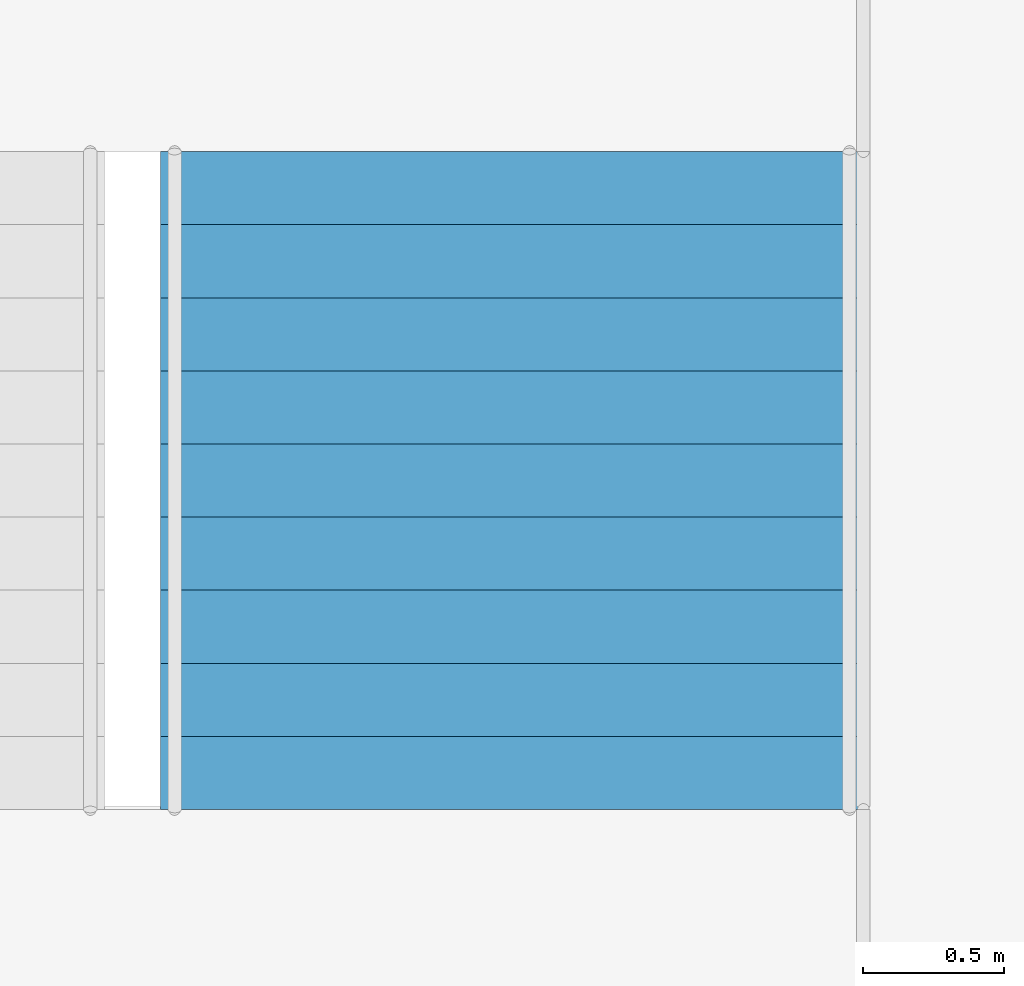
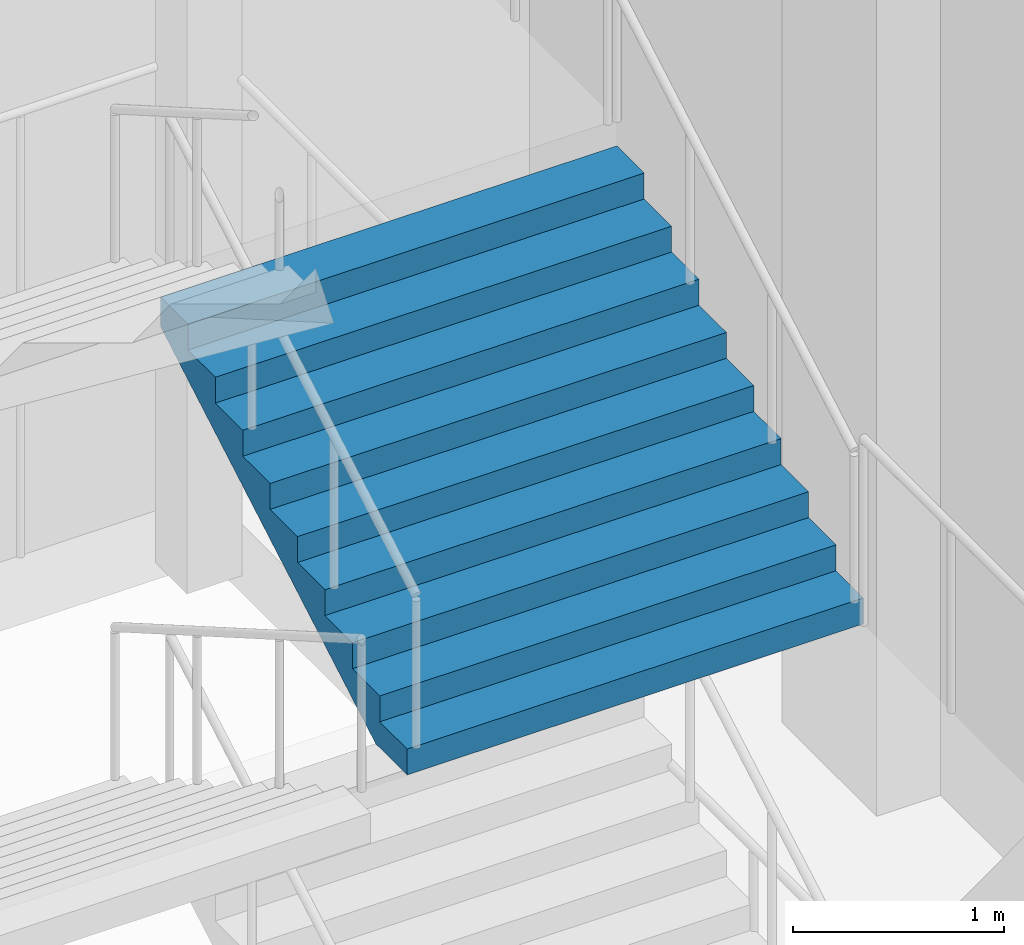
# One storey, part 45 of 100: 1 stair flight, 1 element without a shape of its own.
"""IFC4 building model written with IfcOpenShell, lengths in metres."""

from ifc_helpers import new_model, si_unit, direction, frame, origin, place, context, subcontext, project, spatial, triangles, material, type_object, element, aggregate, save


model = new_model("IFC4")

# Units and contexts
model_context = context("Model", 3, precision=1e-05, world=origin(), true_north=direction((0.0, 1.0)))
body_context = subcontext(model_context, "Body", "Model", "MODEL_VIEW")
ifc_project = project(units=[si_unit("LENGTHUNIT", "METRE"), si_unit("AREAUNIT", "SQUARE_METRE"), si_unit("VOLUMEUNIT", "CUBIC_METRE"), si_unit("PLANEANGLEUNIT", "RADIAN"), si_unit("MASSUNIT", "GRAM", prefix="KILO")], contexts=[model_context])

# Site, building, storey
site_placement = place(None, origin())
site = spatial("IfcSite", under=ifc_project, at=site_placement, CompositionType="ELEMENT")
building_placement = place(site_placement, origin())
building = spatial("IfcBuilding", under=site, at=building_placement, Name="Hakoniwa Tower and Hamabe Station Hall", CompositionType="ELEMENT")
storey_placement = place(building_placement, frame((0.0, 0.0, 9.0)))
storey = spatial("IfcBuildingStorey", under=building, at=storey_placement, Name="L02", CompositionType="ELEMENT", Elevation=9.0)

# Stair, stair flight
ifc_material_1 = material(Name="Concrete C40", Category="concrete")
stair_type = type_object("IfcStairType", Name="STAIR 2500 10X150", PredefinedType="HALF_TURN_STAIR", material=ifc_material_1)
stair_placement = place(storey_placement, origin())
stair = element("IfcStair", 1, at=stair_placement, inside=storey, type_object=stair_type, Name="Escape stair PS4", PredefinedType="HALF_TURN_STAIR")
ifc_material_2 = material(Name="Concrete C40", Category="concrete")
stair_flight_type = type_object("IfcStairFlightType", Name="STAIR FLIGHT 2500", PredefinedType="STRAIGHT", material=ifc_material_2)
stair_flight_placement = place(storey_placement, frame((-45.10009765625, -22.35009765625, 3.0), z_axis=(0.0, 0.0, 1.0), x_axis=(0.0, 1.0, 0.0)))
stair_flight = element("IfcStairFlight", 2, at=stair_flight_placement, type_object=stair_flight_type, Name="PS4 flight 3", NumberOfRisers=10, NumberOfTreads=9, PredefinedType="STRAIGHT", RiserHeight=0.15, TreadLength=0.26, context=body_context, shape_type="Tessellation", body=[
    triangles([(0.0, 1.25, 0.0), (0.260009765625, 1.25, 0.0), (0.300048828125, 1.25, 0.0), (0.52001953125, 1.25, 0.126953125), (0.780029296875, 1.25, 0.27685546875), (1.0400390625, 1.25, 0.427001953125), (1.300048828125, 1.25, 0.576904296875), (1.56005859375, 1.25, 0.72705078125), (1.820068359375, 1.25, 0.876953125), (2.080078125, 1.25, 1.02685546875), (2.340087890625, 1.25, 1.177001953125), (2.340087890625, 1.25, 1.35009765625), (2.080078125, 1.25, 1.35009765625), (2.080078125, 1.25, 1.199951171875), (1.820068359375, 1.25, 1.199951171875), (1.820068359375, 1.25, 1.050048828125), (1.56005859375, 1.25, 1.050048828125), (1.56005859375, 1.25, 0.89990234375), (1.300048828125, 1.25, 0.89990234375), (1.300048828125, 1.25, 0.75), (1.0400390625, 1.25, 0.75), (1.0400390625, 1.25, 0.60009765625), (0.780029296875, 1.25, 0.60009765625), (0.780029296875, 1.25, 0.449951171875), (0.52001953125, 1.25, 0.449951171875), (0.52001953125, 1.25, 0.300048828125), (0.300048828125, 1.25, 0.300048828125), (0.260009765625, 1.25, 0.300048828125), (0.260009765625, 1.25, 0.14990234375), (0.0, 1.25, 0.14990234375), (0.0, 0.06005859375, 0.0), (0.260009765625, 0.06005859375, 0.0), (0.300048828125, 0.06005859375, 0.0), (0.52001953125, 0.06005859375, 0.126953125), (0.780029296875, 0.06005859375, 0.27685546875), (1.0400390625, 0.06005859375, 0.427001953125), (1.300048828125, 0.06005859375, 0.576904296875), (1.56005859375, 0.06005859375, 0.72705078125), (1.820068359375, 0.06005859375, 0.876953125), (2.080078125, 0.06005859375, 1.02685546875), (2.340087890625, 0.06005859375, 1.177001953125), (2.340087890625, 0.06005859375, 1.35009765625), (2.080078125, 0.06005859375, 1.35009765625), (2.080078125, 0.06005859375, 1.199951171875), (1.820068359375, 0.06005859375, 1.199951171875), (1.820068359375, 0.06005859375, 1.050048828125), (1.56005859375, 0.06005859375, 1.050048828125), (1.56005859375, 0.06005859375, 0.89990234375), (1.300048828125, 0.06005859375, 0.89990234375), (1.300048828125, 0.06005859375, 0.75), (1.0400390625, 0.06005859375, 0.75), (1.0400390625, 0.06005859375, 0.60009765625), (0.780029296875, 0.06005859375, 0.60009765625), (0.780029296875, 0.06005859375, 0.449951171875), (0.52001953125, 0.06005859375, 0.449951171875), (0.52001953125, 0.06005859375, 0.300048828125), (0.300048828125, 0.06005859375, 0.300048828125), (0.260009765625, 0.06005859375, 0.300048828125), (0.260009765625, 0.06005859375, 0.14990234375), (0.0, 0.06005859375, 0.14990234375), (0.0, 0.049072265625, 0.0), (0.260009765625, 0.049072265625, 0.0), (0.300048828125, 0.049072265625, 0.0), (0.52001953125, 0.049072265625, 0.126953125), (0.780029296875, 0.049072265625, 0.27685546875), (1.0400390625, 0.049072265625, 0.427001953125), (1.300048828125, 0.049072265625, 0.576904296875), (1.56005859375, 0.049072265625, 0.72705078125), (1.820068359375, 0.049072265625, 0.876953125), (2.080078125, 0.049072265625, 1.02685546875), (2.340087890625, 0.049072265625, 1.177001953125), (2.340087890625, 0.049072265625, 1.35009765625), (2.080078125, 0.049072265625, 1.35009765625), (2.080078125, 0.049072265625, 1.199951171875), (1.820068359375, 0.049072265625, 1.199951171875), (1.820068359375, 0.049072265625, 1.050048828125), (1.56005859375, 0.049072265625, 1.050048828125), (1.56005859375, 0.049072265625, 0.89990234375), (1.300048828125, 0.049072265625, 0.89990234375), (1.300048828125, 0.049072265625, 0.75), (1.0400390625, 0.049072265625, 0.75), (1.0400390625, 0.049072265625, 0.60009765625), (0.780029296875, 0.049072265625, 0.60009765625), (0.780029296875, 0.049072265625, 0.449951171875), (0.52001953125, 0.049072265625, 0.449951171875), (0.52001953125, 0.049072265625, 0.300048828125), (0.300048828125, 0.049072265625, 0.300048828125), (0.260009765625, 0.049072265625, 0.300048828125), (0.260009765625, 0.049072265625, 0.14990234375), (0.0, 0.049072265625, 0.14990234375), (0.0, 0.0380859375, 0.0), (0.260009765625, 0.0380859375, 0.0), (0.300048828125, 0.0380859375, 0.0), (0.52001953125, 0.0380859375, 0.126953125), (0.780029296875, 0.0380859375, 0.27685546875), (1.0400390625, 0.0380859375, 0.427001953125), (1.300048828125, 0.0380859375, 0.576904296875), (1.56005859375, 0.0380859375, 0.72705078125), (1.820068359375, 0.0380859375, 0.876953125), (2.080078125, 0.0380859375, 1.02685546875), (2.340087890625, 0.0380859375, 1.177001953125), (2.340087890625, 0.0380859375, 1.35009765625), (2.080078125, 0.0380859375, 1.35009765625), (2.080078125, 0.0380859375, 1.199951171875), (1.820068359375, 0.0380859375, 1.199951171875), (1.820068359375, 0.0380859375, 1.050048828125), (1.56005859375, 0.0380859375, 1.050048828125), (1.56005859375, 0.0380859375, 0.89990234375), (1.300048828125, 0.0380859375, 0.89990234375), (1.300048828125, 0.0380859375, 0.75), (1.0400390625, 0.0380859375, 0.75), (1.0400390625, 0.0380859375, 0.60009765625), (0.780029296875, 0.0380859375, 0.60009765625), (0.780029296875, 0.0380859375, 0.449951171875), (0.52001953125, 0.0380859375, 0.449951171875), (0.52001953125, 0.0380859375, 0.300048828125), (0.300048828125, 0.0380859375, 0.300048828125), (0.260009765625, 0.0380859375, 0.300048828125), (0.260009765625, 0.0380859375, 0.14990234375), (0.0, 0.0380859375, 0.14990234375), (0.0, 0.02734375, 0.0), (0.260009765625, 0.02734375, 0.0), (0.300048828125, 0.02734375, 0.0), (0.52001953125, 0.02734375, 0.126953125), (0.780029296875, 0.02734375, 0.27685546875), (1.0400390625, 0.02734375, 0.427001953125), (1.300048828125, 0.02734375, 0.576904296875), (1.56005859375, 0.02734375, 0.72705078125), (1.820068359375, 0.02734375, 0.876953125), (2.080078125, 0.02734375, 1.02685546875), (2.340087890625, 0.02734375, 1.177001953125), (2.340087890625, 0.02734375, 1.35009765625), (2.080078125, 0.02734375, 1.35009765625), (2.080078125, 0.02734375, 1.199951171875), (1.820068359375, 0.02734375, 1.199951171875), (1.820068359375, 0.02734375, 1.050048828125), (1.56005859375, 0.02734375, 1.050048828125), (1.56005859375, 0.02734375, 0.89990234375), (1.300048828125, 0.02734375, 0.89990234375), (1.300048828125, 0.02734375, 0.75), (1.0400390625, 0.02734375, 0.75), (1.0400390625, 0.02734375, 0.60009765625), (0.780029296875, 0.02734375, 0.60009765625), (0.780029296875, 0.02734375, 0.449951171875), (0.52001953125, 0.02734375, 0.449951171875), (0.52001953125, 0.02734375, 0.300048828125), (0.300048828125, 0.02734375, 0.300048828125), (0.260009765625, 0.02734375, 0.300048828125), (0.260009765625, 0.02734375, 0.14990234375), (0.0, 0.02734375, 0.14990234375), (0.0, 0.016357421875, 0.0), (0.260009765625, 0.016357421875, 0.0), (0.300048828125, 0.016357421875, 0.0), (0.52001953125, 0.016357421875, 0.126953125), (0.780029296875, 0.016357421875, 0.27685546875), (1.0400390625, 0.016357421875, 0.427001953125), (1.300048828125, 0.016357421875, 0.576904296875), (1.56005859375, 0.016357421875, 0.72705078125), (1.820068359375, 0.016357421875, 0.876953125), (2.080078125, 0.016357421875, 1.02685546875), (2.340087890625, 0.016357421875, 1.177001953125), (2.340087890625, 0.016357421875, 1.35009765625), (2.080078125, 0.016357421875, 1.35009765625), (2.080078125, 0.016357421875, 1.199951171875), (1.820068359375, 0.016357421875, 1.199951171875), (1.820068359375, 0.016357421875, 1.050048828125), (1.56005859375, 0.016357421875, 1.050048828125), (1.56005859375, 0.016357421875, 0.89990234375), (1.300048828125, 0.016357421875, 0.89990234375), (1.300048828125, 0.016357421875, 0.75), (1.0400390625, 0.016357421875, 0.75), (1.0400390625, 0.016357421875, 0.60009765625), (0.780029296875, 0.016357421875, 0.60009765625), (0.780029296875, 0.016357421875, 0.449951171875), (0.52001953125, 0.016357421875, 0.449951171875), (0.52001953125, 0.016357421875, 0.300048828125), (0.300048828125, 0.016357421875, 0.300048828125), (0.260009765625, 0.016357421875, 0.300048828125), (0.260009765625, 0.016357421875, 0.14990234375), (0.0, 0.016357421875, 0.14990234375), (0.0, 0.00537109375, 0.0), (0.260009765625, 0.00537109375, 0.0), (0.300048828125, 0.00537109375, 0.0), (0.52001953125, 0.00537109375, 0.126953125), (0.780029296875, 0.00537109375, 0.27685546875), (1.0400390625, 0.00537109375, 0.427001953125), (1.300048828125, 0.00537109375, 0.576904296875), (1.56005859375, 0.00537109375, 0.72705078125), (1.820068359375, 0.00537109375, 0.876953125), (2.080078125, 0.00537109375, 1.02685546875), (2.340087890625, 0.00537109375, 1.177001953125), (2.340087890625, 0.00537109375, 1.35009765625), (2.080078125, 0.00537109375, 1.35009765625), (2.080078125, 0.00537109375, 1.199951171875), (1.820068359375, 0.00537109375, 1.199951171875), (1.820068359375, 0.00537109375, 1.050048828125), (1.56005859375, 0.00537109375, 1.050048828125), (1.56005859375, 0.00537109375, 0.89990234375), (1.300048828125, 0.00537109375, 0.89990234375), (1.300048828125, 0.00537109375, 0.75), (1.0400390625, 0.00537109375, 0.75), (1.0400390625, 0.00537109375, 0.60009765625), (0.780029296875, 0.00537109375, 0.60009765625), (0.780029296875, 0.00537109375, 0.449951171875), (0.52001953125, 0.00537109375, 0.449951171875), (0.52001953125, 0.00537109375, 0.300048828125), (0.300048828125, 0.00537109375, 0.300048828125), (0.260009765625, 0.00537109375, 0.300048828125), (0.260009765625, 0.00537109375, 0.14990234375), (0.0, 0.00537109375, 0.14990234375), (0.0, -0.00537109375, 0.0), (0.260009765625, -0.00537109375, 0.0), (0.300048828125, -0.00537109375, 0.0), (0.52001953125, -0.00537109375, 0.126953125), (0.780029296875, -0.00537109375, 0.27685546875), (1.0400390625, -0.00537109375, 0.427001953125), (1.300048828125, -0.00537109375, 0.576904296875), (1.56005859375, -0.00537109375, 0.72705078125), (1.820068359375, -0.00537109375, 0.876953125), (2.080078125, -0.00537109375, 1.02685546875), (2.340087890625, -0.00537109375, 1.177001953125), (2.340087890625, -0.00537109375, 1.35009765625), (2.080078125, -0.00537109375, 1.35009765625), (2.080078125, -0.00537109375, 1.199951171875), (1.820068359375, -0.00537109375, 1.199951171875), (1.820068359375, -0.00537109375, 1.050048828125), (1.56005859375, -0.00537109375, 1.050048828125), (1.56005859375, -0.00537109375, 0.89990234375), (1.300048828125, -0.00537109375, 0.89990234375), (1.300048828125, -0.00537109375, 0.75), (1.0400390625, -0.00537109375, 0.75), (1.0400390625, -0.00537109375, 0.60009765625), (0.780029296875, -0.00537109375, 0.60009765625), (0.780029296875, -0.00537109375, 0.449951171875), (0.52001953125, -0.00537109375, 0.449951171875), (0.52001953125, -0.00537109375, 0.300048828125), (0.300048828125, -0.00537109375, 0.300048828125), (0.260009765625, -0.00537109375, 0.300048828125), (0.260009765625, -0.00537109375, 0.14990234375), (0.0, -0.00537109375, 0.14990234375), (0.0, -0.016357421875, 0.0), (0.260009765625, -0.016357421875, 0.0), (0.300048828125, -0.016357421875, 0.0), (0.52001953125, -0.016357421875, 0.126953125), (0.780029296875, -0.016357421875, 0.27685546875), (1.0400390625, -0.016357421875, 0.427001953125), (1.300048828125, -0.016357421875, 0.576904296875), (1.56005859375, -0.016357421875, 0.72705078125), (1.820068359375, -0.016357421875, 0.876953125), (2.080078125, -0.016357421875, 1.02685546875), (2.340087890625, -0.016357421875, 1.177001953125), (2.340087890625, -0.016357421875, 1.35009765625), (2.080078125, -0.016357421875, 1.35009765625), (2.080078125, -0.016357421875, 1.199951171875), (1.820068359375, -0.016357421875, 1.199951171875), (1.820068359375, -0.016357421875, 1.050048828125), (1.56005859375, -0.016357421875, 1.050048828125), (1.56005859375, -0.016357421875, 0.89990234375), (1.300048828125, -0.016357421875, 0.89990234375), (1.300048828125, -0.016357421875, 0.75), (1.0400390625, -0.016357421875, 0.75), (1.0400390625, -0.016357421875, 0.60009765625), (0.780029296875, -0.016357421875, 0.60009765625), (0.780029296875, -0.016357421875, 0.449951171875), (0.52001953125, -0.016357421875, 0.449951171875), (0.52001953125, -0.016357421875, 0.300048828125), (0.300048828125, -0.016357421875, 0.300048828125), (0.260009765625, -0.016357421875, 0.300048828125), (0.260009765625, -0.016357421875, 0.14990234375), (0.0, -0.016357421875, 0.14990234375), (0.0, -0.02734375, 0.0), (0.260009765625, -0.02734375, 0.0), (0.300048828125, -0.02734375, 0.0), (0.52001953125, -0.02734375, 0.126953125), (0.780029296875, -0.02734375, 0.27685546875), (1.0400390625, -0.02734375, 0.427001953125), (1.300048828125, -0.02734375, 0.576904296875), (1.56005859375, -0.02734375, 0.72705078125), (1.820068359375, -0.02734375, 0.876953125), (2.080078125, -0.02734375, 1.02685546875), (2.340087890625, -0.02734375, 1.177001953125), (2.340087890625, -0.02734375, 1.35009765625), (2.080078125, -0.02734375, 1.35009765625), (2.080078125, -0.02734375, 1.199951171875), (1.820068359375, -0.02734375, 1.199951171875), (1.820068359375, -0.02734375, 1.050048828125), (1.56005859375, -0.02734375, 1.050048828125), (1.56005859375, -0.02734375, 0.89990234375), (1.300048828125, -0.02734375, 0.89990234375), (1.300048828125, -0.02734375, 0.75), (1.0400390625, -0.02734375, 0.75), (1.0400390625, -0.02734375, 0.60009765625), (0.780029296875, -0.02734375, 0.60009765625), (0.780029296875, -0.02734375, 0.449951171875), (0.52001953125, -0.02734375, 0.449951171875), (0.52001953125, -0.02734375, 0.300048828125), (0.300048828125, -0.02734375, 0.300048828125), (0.260009765625, -0.02734375, 0.300048828125), (0.260009765625, -0.02734375, 0.14990234375), (0.0, -0.02734375, 0.14990234375), (0.0, -0.0380859375, 0.0), (0.260009765625, -0.0380859375, 0.0), (0.300048828125, -0.0380859375, 0.0), (0.52001953125, -0.0380859375, 0.126953125), (0.780029296875, -0.0380859375, 0.27685546875), (1.0400390625, -0.0380859375, 0.427001953125), (1.300048828125, -0.0380859375, 0.576904296875), (1.56005859375, -0.0380859375, 0.72705078125), (1.820068359375, -0.0380859375, 0.876953125), (2.080078125, -0.0380859375, 1.02685546875), (2.340087890625, -0.0380859375, 1.177001953125), (2.340087890625, -0.0380859375, 1.35009765625), (2.080078125, -0.0380859375, 1.35009765625), (2.080078125, -0.0380859375, 1.199951171875), (1.820068359375, -0.0380859375, 1.199951171875), (1.820068359375, -0.0380859375, 1.050048828125), (1.56005859375, -0.0380859375, 1.050048828125), (1.56005859375, -0.0380859375, 0.89990234375), (1.300048828125, -0.0380859375, 0.89990234375), (1.300048828125, -0.0380859375, 0.75), (1.0400390625, -0.0380859375, 0.75), (1.0400390625, -0.0380859375, 0.60009765625), (0.780029296875, -0.0380859375, 0.60009765625), (0.780029296875, -0.0380859375, 0.449951171875), (0.52001953125, -0.0380859375, 0.449951171875), (0.52001953125, -0.0380859375, 0.300048828125), (0.300048828125, -0.0380859375, 0.300048828125), (0.260009765625, -0.0380859375, 0.300048828125), (0.260009765625, -0.0380859375, 0.14990234375), (0.0, -0.0380859375, 0.14990234375), (0.0, -0.049072265625, 0.0), (0.260009765625, -0.049072265625, 0.0), (0.300048828125, -0.049072265625, 0.0), (0.52001953125, -0.049072265625, 0.126953125), (0.780029296875, -0.049072265625, 0.27685546875), (1.0400390625, -0.049072265625, 0.427001953125), (1.300048828125, -0.049072265625, 0.576904296875), (1.56005859375, -0.049072265625, 0.72705078125), (1.820068359375, -0.049072265625, 0.876953125), (2.080078125, -0.049072265625, 1.02685546875), (2.340087890625, -0.049072265625, 1.177001953125), (2.340087890625, -0.049072265625, 1.35009765625), (2.080078125, -0.049072265625, 1.35009765625), (2.080078125, -0.049072265625, 1.199951171875), (1.820068359375, -0.049072265625, 1.199951171875), (1.820068359375, -0.049072265625, 1.050048828125), (1.56005859375, -0.049072265625, 1.050048828125), (1.56005859375, -0.049072265625, 0.89990234375), (1.300048828125, -0.049072265625, 0.89990234375), (1.300048828125, -0.049072265625, 0.75), (1.0400390625, -0.049072265625, 0.75), (1.0400390625, -0.049072265625, 0.60009765625), (0.780029296875, -0.049072265625, 0.60009765625), (0.780029296875, -0.049072265625, 0.449951171875), (0.52001953125, -0.049072265625, 0.449951171875), (0.52001953125, -0.049072265625, 0.300048828125), (0.300048828125, -0.049072265625, 0.300048828125), (0.260009765625, -0.049072265625, 0.300048828125), (0.260009765625, -0.049072265625, 0.14990234375), (0.0, -0.049072265625, 0.14990234375), (0.0, -0.06005859375, 0.0), (0.260009765625, -0.06005859375, 0.0), (0.300048828125, -0.06005859375, 0.0), (0.52001953125, -0.06005859375, 0.126953125), (0.780029296875, -0.06005859375, 0.27685546875), (1.0400390625, -0.06005859375, 0.427001953125), (1.300048828125, -0.06005859375, 0.576904296875), (1.56005859375, -0.06005859375, 0.72705078125), (1.820068359375, -0.06005859375, 0.876953125), (2.080078125, -0.06005859375, 1.02685546875), (2.340087890625, -0.06005859375, 1.177001953125), (2.340087890625, -0.06005859375, 1.35009765625), (2.080078125, -0.06005859375, 1.35009765625), (2.080078125, -0.06005859375, 1.199951171875), (1.820068359375, -0.06005859375, 1.199951171875), (1.820068359375, -0.06005859375, 1.050048828125), (1.56005859375, -0.06005859375, 1.050048828125), (1.56005859375, -0.06005859375, 0.89990234375), (1.300048828125, -0.06005859375, 0.89990234375), (1.300048828125, -0.06005859375, 0.75), (1.0400390625, -0.06005859375, 0.75), (1.0400390625, -0.06005859375, 0.60009765625), (0.780029296875, -0.06005859375, 0.60009765625), (0.780029296875, -0.06005859375, 0.449951171875), (0.52001953125, -0.06005859375, 0.449951171875), (0.52001953125, -0.06005859375, 0.300048828125), (0.300048828125, -0.06005859375, 0.300048828125), (0.260009765625, -0.06005859375, 0.300048828125), (0.260009765625, -0.06005859375, 0.14990234375), (0.0, -0.06005859375, 0.14990234375), (0.0, -1.25, 0.0), (0.260009765625, -1.25, 0.0), (0.300048828125, -1.25, 0.0), (0.52001953125, -1.25, 0.126953125), (0.780029296875, -1.25, 0.27685546875), (1.0400390625, -1.25, 0.427001953125), (1.300048828125, -1.25, 0.576904296875), (1.56005859375, -1.25, 0.72705078125), (1.820068359375, -1.25, 0.876953125), (2.080078125, -1.25, 1.02685546875), (2.340087890625, -1.25, 1.177001953125), (2.340087890625, -1.25, 1.35009765625), (2.080078125, -1.25, 1.35009765625), (2.080078125, -1.25, 1.199951171875), (1.820068359375, -1.25, 1.199951171875), (1.820068359375, -1.25, 1.050048828125), (1.56005859375, -1.25, 1.050048828125), (1.56005859375, -1.25, 0.89990234375), (1.300048828125, -1.25, 0.89990234375), (1.300048828125, -1.25, 0.75), (1.0400390625, -1.25, 0.75), (1.0400390625, -1.25, 0.60009765625), (0.780029296875, -1.25, 0.60009765625), (0.780029296875, -1.25, 0.449951171875), (0.52001953125, -1.25, 0.449951171875), (0.52001953125, -1.25, 0.300048828125), (0.300048828125, -1.25, 0.300048828125), (0.260009765625, -1.25, 0.300048828125), (0.260009765625, -1.25, 0.14990234375), (0.0, -1.25, 0.14990234375)], [[2, 30, 29], [392, 419, 420], [2, 1, 30], [392, 420, 391], [3, 28, 27], [393, 417, 418], [3, 29, 28], [393, 418, 419], [3, 2, 29], [393, 419, 392], [4, 27, 26], [394, 416, 417], [4, 3, 27], [394, 417, 393], [5, 25, 24], [395, 414, 415], [5, 26, 25], [395, 415, 416], [5, 4, 26], [395, 416, 394], [6, 23, 22], [396, 412, 413], [6, 24, 23], [396, 413, 414], [6, 5, 24], [396, 414, 395], [7, 21, 20], [397, 410, 411], [7, 22, 21], [397, 411, 412], [7, 6, 22], [397, 412, 396], [8, 19, 18], [398, 408, 409], [8, 20, 19], [398, 409, 410], [8, 7, 20], [398, 410, 397], [9, 17, 16], [399, 406, 407], [9, 18, 17], [399, 407, 408], [9, 8, 18], [399, 408, 398], [10, 15, 14], [400, 404, 405], [10, 16, 15], [400, 405, 406], [10, 9, 16], [400, 406, 399], [11, 13, 12], [401, 402, 403], [11, 14, 13], [401, 403, 404], [11, 10, 14], [401, 404, 400], [1, 2, 32], [1, 32, 31], [31, 32, 62], [31, 62, 61], [61, 62, 92], [61, 92, 91], [91, 92, 122], [91, 122, 121], [121, 122, 152], [121, 152, 151], [151, 152, 182], [151, 182, 181], [181, 182, 212], [181, 212, 211], [211, 212, 242], [211, 242, 241], [241, 242, 272], [241, 272, 271], [271, 272, 302], [271, 302, 301], [301, 302, 332], [301, 332, 331], [331, 332, 362], [331, 362, 361], [361, 362, 392], [361, 392, 391], [2, 3, 33], [2, 33, 32], [32, 33, 63], [32, 63, 62], [62, 63, 93], [62, 93, 92], [92, 93, 123], [92, 123, 122], [122, 123, 153], [122, 153, 152], [152, 153, 183], [152, 183, 182], [182, 183, 213], [182, 213, 212], [212, 213, 243], [212, 243, 242], [242, 243, 273], [242, 273, 272], [272, 273, 303], [272, 303, 302], [302, 303, 333], [302, 333, 332], [332, 333, 363], [332, 363, 362], [362, 363, 393], [362, 393, 392], [3, 4, 34], [3, 34, 33], [33, 34, 64], [33, 64, 63], [63, 64, 94], [63, 94, 93], [93, 94, 124], [93, 124, 123], [123, 124, 154], [123, 154, 153], [153, 154, 184], [153, 184, 183], [183, 184, 214], [183, 214, 213], [213, 214, 244], [213, 244, 243], [243, 244, 274], [243, 274, 273], [273, 274, 304], [273, 304, 303], [303, 304, 334], [303, 334, 333], [333, 334, 364], [333, 364, 363], [363, 364, 394], [363, 394, 393], [4, 5, 35], [4, 35, 34], [34, 35, 65], [34, 65, 64], [64, 65, 95], [64, 95, 94], [94, 95, 125], [94, 125, 124], [124, 125, 155], [124, 155, 154], [154, 155, 185], [154, 185, 184], [184, 185, 215], [184, 215, 214], [214, 215, 245], [214, 245, 244], [244, 245, 275], [244, 275, 274], [274, 275, 305], [274, 305, 304], [304, 305, 335], [304, 335, 334], [334, 335, 365], [334, 365, 364], [364, 365, 395], [364, 395, 394], [5, 6, 36], [5, 36, 35], [35, 36, 66], [35, 66, 65], [65, 66, 96], [65, 96, 95], [95, 96, 126], [95, 126, 125], [125, 126, 156], [125, 156, 155], [155, 156, 186], [155, 186, 185], [185, 186, 216], [185, 216, 215], [215, 216, 246], [215, 246, 245], [245, 246, 276], [245, 276, 275], [275, 276, 306], [275, 306, 305], [305, 306, 336], [305, 336, 335], [335, 336, 366], [335, 366, 365], [365, 366, 396], [365, 396, 395], [6, 7, 37], [6, 37, 36], [36, 37, 67], [36, 67, 66], [66, 67, 97], [66, 97, 96], [96, 97, 127], [96, 127, 126], [126, 127, 157], [126, 157, 156], [156, 157, 187], [156, 187, 186], [186, 187, 217], [186, 217, 216], [216, 217, 247], [216, 247, 246], [246, 247, 277], [246, 277, 276], [276, 277, 307], [276, 307, 306], [306, 307, 337], [306, 337, 336], [336, 337, 367], [336, 367, 366], [366, 367, 397], [366, 397, 396], [7, 8, 38], [7, 38, 37], [37, 38, 68], [37, 68, 67], [67, 68, 98], [67, 98, 97], [97, 98, 128], [97, 128, 127], [127, 128, 158], [127, 158, 157], [157, 158, 188], [157, 188, 187], [187, 188, 218], [187, 218, 217], [217, 218, 248], [217, 248, 247], [247, 248, 278], [247, 278, 277], [277, 278, 308], [277, 308, 307], [307, 308, 338], [307, 338, 337], [337, 338, 368], [337, 368, 367], [367, 368, 398], [367, 398, 397], [8, 9, 39], [8, 39, 38], [38, 39, 69], [38, 69, 68], [68, 69, 99], [68, 99, 98], [98, 99, 129], [98, 129, 128], [128, 129, 159], [128, 159, 158], [158, 159, 189], [158, 189, 188], [188, 189, 219], [188, 219, 218], [218, 219, 249], [218, 249, 248], [248, 249, 279], [248, 279, 278], [278, 279, 309], [278, 309, 308], [308, 309, 339], [308, 339, 338], [338, 339, 369], [338, 369, 368], [368, 369, 399], [368, 399, 398], [9, 10, 40], [9, 40, 39], [39, 40, 70], [39, 70, 69], [69, 70, 100], [69, 100, 99], [99, 100, 130], [99, 130, 129], [129, 130, 160], [129, 160, 159], [159, 160, 190], [159, 190, 189], [189, 190, 220], [189, 220, 219], [219, 220, 250], [219, 250, 249], [249, 250, 280], [249, 280, 279], [279, 280, 310], [279, 310, 309], [309, 310, 340], [309, 340, 339], [339, 340, 370], [339, 370, 369], [369, 370, 400], [369, 400, 399], [10, 11, 41], [10, 41, 40], [40, 41, 71], [40, 71, 70], [70, 71, 101], [70, 101, 100], [100, 101, 131], [100, 131, 130], [130, 131, 161], [130, 161, 160], [160, 161, 191], [160, 191, 190], [190, 191, 221], [190, 221, 220], [220, 221, 251], [220, 251, 250], [250, 251, 281], [250, 281, 280], [280, 281, 311], [280, 311, 310], [310, 311, 341], [310, 341, 340], [340, 341, 371], [340, 371, 370], [370, 371, 401], [370, 401, 400], [11, 12, 42], [11, 42, 41], [41, 42, 72], [41, 72, 71], [71, 72, 102], [71, 102, 101], [101, 102, 132], [101, 132, 131], [131, 132, 162], [131, 162, 161], [161, 162, 192], [161, 192, 191], [191, 192, 222], [191, 222, 221], [221, 222, 252], [221, 252, 251], [251, 252, 282], [251, 282, 281], [281, 282, 312], [281, 312, 311], [311, 312, 342], [311, 342, 341], [341, 342, 372], [341, 372, 371], [371, 372, 402], [371, 402, 401], [12, 13, 43], [12, 43, 42], [42, 43, 73], [42, 73, 72], [72, 73, 103], [72, 103, 102], [102, 103, 133], [102, 133, 132], [132, 133, 163], [132, 163, 162], [162, 163, 193], [162, 193, 192], [192, 193, 223], [192, 223, 222], [222, 223, 253], [222, 253, 252], [252, 253, 283], [252, 283, 282], [282, 283, 313], [282, 313, 312], [312, 313, 343], [312, 343, 342], [342, 343, 373], [342, 373, 372], [372, 373, 403], [372, 403, 402], [13, 14, 44], [13, 44, 43], [43, 44, 74], [43, 74, 73], [73, 74, 104], [73, 104, 103], [103, 104, 134], [103, 134, 133], [133, 134, 164], [133, 164, 163], [163, 164, 194], [163, 194, 193], [193, 194, 224], [193, 224, 223], [223, 224, 254], [223, 254, 253], [253, 254, 284], [253, 284, 283], [283, 284, 314], [283, 314, 313], [313, 314, 344], [313, 344, 343], [343, 344, 374], [343, 374, 373], [373, 374, 404], [373, 404, 403], [14, 15, 45], [14, 45, 44], [44, 45, 75], [44, 75, 74], [74, 75, 105], [74, 105, 104], [104, 105, 135], [104, 135, 134], [134, 135, 165], [134, 165, 164], [164, 165, 195], [164, 195, 194], [194, 195, 225], [194, 225, 224], [224, 225, 255], [224, 255, 254], [254, 255, 285], [254, 285, 284], [284, 285, 315], [284, 315, 314], [314, 315, 345], [314, 345, 344], [344, 345, 375], [344, 375, 374], [374, 375, 405], [374, 405, 404], [15, 16, 46], [15, 46, 45], [45, 46, 76], [45, 76, 75], [75, 76, 106], [75, 106, 105], [105, 106, 136], [105, 136, 135], [135, 136, 166], [135, 166, 165], [165, 166, 196], [165, 196, 195], [195, 196, 226], [195, 226, 225], [225, 226, 256], [225, 256, 255], [255, 256, 286], [255, 286, 285], [285, 286, 316], [285, 316, 315], [315, 316, 346], [315, 346, 345], [345, 346, 376], [345, 376, 375], [375, 376, 406], [375, 406, 405], [16, 17, 47], [16, 47, 46], [46, 47, 77], [46, 77, 76], [76, 77, 107], [76, 107, 106], [106, 107, 137], [106, 137, 136], [136, 137, 167], [136, 167, 166], [166, 167, 197], [166, 197, 196], [196, 197, 227], [196, 227, 226], [226, 227, 257], [226, 257, 256], [256, 257, 287], [256, 287, 286], [286, 287, 317], [286, 317, 316], [316, 317, 347], [316, 347, 346], [346, 347, 377], [346, 377, 376], [376, 377, 407], [376, 407, 406], [17, 18, 48], [17, 48, 47], [47, 48, 78], [47, 78, 77], [77, 78, 108], [77, 108, 107], [107, 108, 138], [107, 138, 137], [137, 138, 168], [137, 168, 167], [167, 168, 198], [167, 198, 197], [197, 198, 228], [197, 228, 227], [227, 228, 258], [227, 258, 257], [257, 258, 288], [257, 288, 287], [287, 288, 318], [287, 318, 317], [317, 318, 348], [317, 348, 347], [347, 348, 378], [347, 378, 377], [377, 378, 408], [377, 408, 407], [18, 19, 49], [18, 49, 48], [48, 49, 79], [48, 79, 78], [78, 79, 109], [78, 109, 108], [108, 109, 139], [108, 139, 138], [138, 139, 169], [138, 169, 168], [168, 169, 199], [168, 199, 198], [198, 199, 229], [198, 229, 228], [228, 229, 259], [228, 259, 258], [258, 259, 289], [258, 289, 288], [288, 289, 319], [288, 319, 318], [318, 319, 349], [318, 349, 348], [348, 349, 379], [348, 379, 378], [378, 379, 409], [378, 409, 408], [19, 20, 50], [19, 50, 49], [49, 50, 80], [49, 80, 79], [79, 80, 110], [79, 110, 109], [109, 110, 140], [109, 140, 139], [139, 140, 170], [139, 170, 169], [169, 170, 200], [169, 200, 199], [199, 200, 230], [199, 230, 229], [229, 230, 260], [229, 260, 259], [259, 260, 290], [259, 290, 289], [289, 290, 320], [289, 320, 319], [319, 320, 350], [319, 350, 349], [349, 350, 380], [349, 380, 379], [379, 380, 410], [379, 410, 409], [20, 21, 51], [20, 51, 50], [50, 51, 81], [50, 81, 80], [80, 81, 111], [80, 111, 110], [110, 111, 141], [110, 141, 140], [140, 141, 171], [140, 171, 170], [170, 171, 201], [170, 201, 200], [200, 201, 231], [200, 231, 230], [230, 231, 261], [230, 261, 260], [260, 261, 291], [260, 291, 290], [290, 291, 321], [290, 321, 320], [320, 321, 351], [320, 351, 350], [350, 351, 381], [350, 381, 380], [380, 381, 411], [380, 411, 410], [21, 22, 52], [21, 52, 51], [51, 52, 82], [51, 82, 81], [81, 82, 112], [81, 112, 111], [111, 112, 142], [111, 142, 141], [141, 142, 172], [141, 172, 171], [171, 172, 202], [171, 202, 201], [201, 202, 232], [201, 232, 231], [231, 232, 262], [231, 262, 261], [261, 262, 292], [261, 292, 291], [291, 292, 322], [291, 322, 321], [321, 322, 352], [321, 352, 351], [351, 352, 382], [351, 382, 381], [381, 382, 412], [381, 412, 411], [22, 23, 53], [22, 53, 52], [52, 53, 83], [52, 83, 82], [82, 83, 113], [82, 113, 112], [112, 113, 143], [112, 143, 142], [142, 143, 173], [142, 173, 172], [172, 173, 203], [172, 203, 202], [202, 203, 233], [202, 233, 232], [232, 233, 263], [232, 263, 262], [262, 263, 293], [262, 293, 292], [292, 293, 323], [292, 323, 322], [322, 323, 353], [322, 353, 352], [352, 353, 383], [352, 383, 382], [382, 383, 413], [382, 413, 412], [23, 24, 54], [23, 54, 53], [53, 54, 84], [53, 84, 83], [83, 84, 114], [83, 114, 113], [113, 114, 144], [113, 144, 143], [143, 144, 174], [143, 174, 173], [173, 174, 204], [173, 204, 203], [203, 204, 234], [203, 234, 233], [233, 234, 264], [233, 264, 263], [263, 264, 294], [263, 294, 293], [293, 294, 324], [293, 324, 323], [323, 324, 354], [323, 354, 353], [353, 354, 384], [353, 384, 383], [383, 384, 414], [383, 414, 413], [24, 25, 55], [24, 55, 54], [54, 55, 85], [54, 85, 84], [84, 85, 115], [84, 115, 114], [114, 115, 145], [114, 145, 144], [144, 145, 175], [144, 175, 174], [174, 175, 205], [174, 205, 204], [204, 205, 235], [204, 235, 234], [234, 235, 265], [234, 265, 264], [264, 265, 295], [264, 295, 294], [294, 295, 325], [294, 325, 324], [324, 325, 355], [324, 355, 354], [354, 355, 385], [354, 385, 384], [384, 385, 415], [384, 415, 414], [25, 26, 56], [25, 56, 55], [55, 56, 86], [55, 86, 85], [85, 86, 116], [85, 116, 115], [115, 116, 146], [115, 146, 145], [145, 146, 176], [145, 176, 175], [175, 176, 206], [175, 206, 205], [205, 206, 236], [205, 236, 235], [235, 236, 266], [235, 266, 265], [265, 266, 296], [265, 296, 295], [295, 296, 326], [295, 326, 325], [325, 326, 356], [325, 356, 355], [355, 356, 386], [355, 386, 385], [385, 386, 416], [385, 416, 415], [26, 27, 57], [26, 57, 56], [56, 57, 87], [56, 87, 86], [86, 87, 117], [86, 117, 116], [116, 117, 147], [116, 147, 146], [146, 147, 177], [146, 177, 176], [176, 177, 207], [176, 207, 206], [206, 207, 237], [206, 237, 236], [236, 237, 267], [236, 267, 266], [266, 267, 297], [266, 297, 296], [296, 297, 327], [296, 327, 326], [326, 327, 357], [326, 357, 356], [356, 357, 387], [356, 387, 386], [386, 387, 417], [386, 417, 416], [27, 28, 58], [27, 58, 57], [57, 58, 88], [57, 88, 87], [87, 88, 118], [87, 118, 117], [117, 118, 148], [117, 148, 147], [147, 148, 178], [147, 178, 177], [177, 178, 208], [177, 208, 207], [207, 208, 238], [207, 238, 237], [237, 238, 268], [237, 268, 267], [267, 268, 298], [267, 298, 297], [297, 298, 328], [297, 328, 327], [327, 328, 358], [327, 358, 357], [357, 358, 388], [357, 388, 387], [387, 388, 418], [387, 418, 417], [28, 29, 59], [28, 59, 58], [58, 59, 89], [58, 89, 88], [88, 89, 119], [88, 119, 118], [118, 119, 149], [118, 149, 148], [148, 149, 179], [148, 179, 178], [178, 179, 209], [178, 209, 208], [208, 209, 239], [208, 239, 238], [238, 239, 269], [238, 269, 268], [268, 269, 299], [268, 299, 298], [298, 299, 329], [298, 329, 328], [328, 329, 359], [328, 359, 358], [358, 359, 389], [358, 389, 388], [388, 389, 419], [388, 419, 418], [29, 30, 60], [29, 60, 59], [59, 60, 90], [59, 90, 89], [89, 90, 120], [89, 120, 119], [119, 120, 150], [119, 150, 149], [149, 150, 180], [149, 180, 179], [179, 180, 210], [179, 210, 209], [209, 210, 240], [209, 240, 239], [239, 240, 270], [239, 270, 269], [269, 270, 300], [269, 300, 299], [299, 300, 330], [299, 330, 329], [329, 330, 360], [329, 360, 359], [359, 360, 390], [359, 390, 389], [389, 390, 420], [389, 420, 419], [30, 1, 31], [30, 31, 60], [60, 31, 61], [60, 61, 90], [90, 61, 91], [90, 91, 120], [120, 91, 121], [120, 121, 150], [150, 121, 151], [150, 151, 180], [180, 151, 181], [180, 181, 210], [210, 181, 211], [210, 211, 240], [240, 211, 241], [240, 241, 270], [270, 241, 271], [270, 271, 300], [300, 271, 301], [300, 301, 330], [330, 301, 331], [330, 331, 360], [360, 331, 361], [360, 361, 390], [390, 361, 391], [390, 391, 420]], closed=True),
])
aggregate(stair, [stair_flight])

save(model, "model.ifc")
